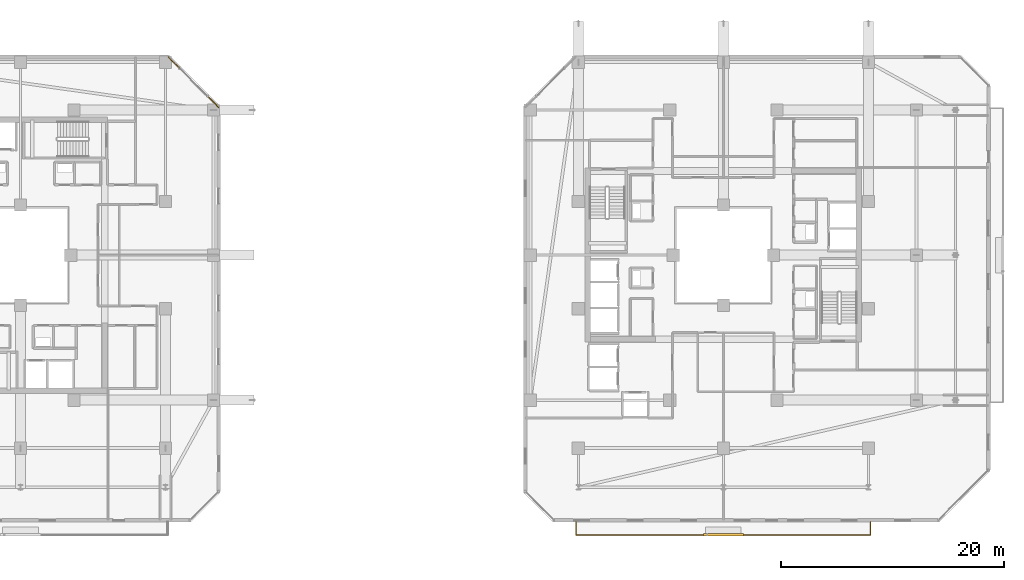
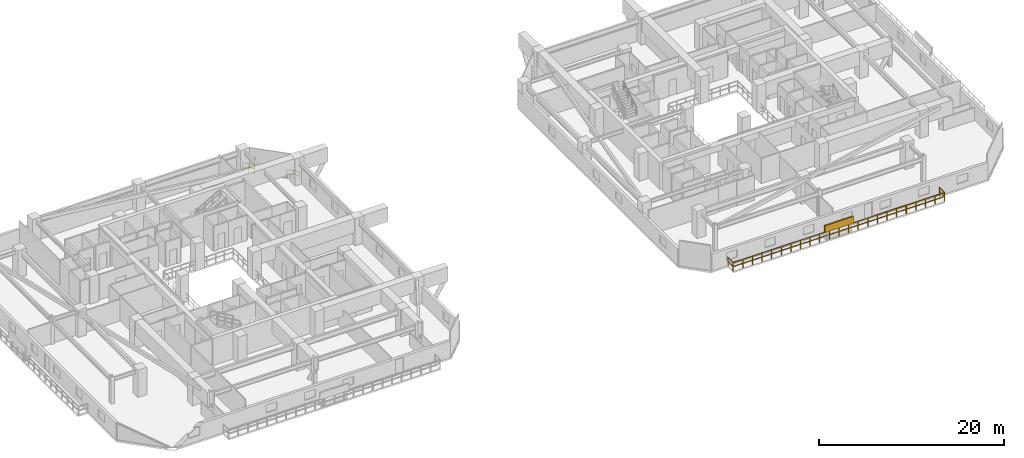
# One storey, part 33 of 35: 3 railings, 1 shading device.
"""IFC4 building model written with IfcOpenShell, lengths in metres."""

import ifcopenshell
import ifcopenshell.guid

model = None  # the IFC model being written
_history = None  # IfcOwnerHistory: only IFC2X3 demands one
_inside = {}  # id of a spatial element -> (the spatial element, [elements in it])
_under = {}  # id of a project, library or spatial element -> (it, [spatial elements below it])
_declared = {}  # id of a project -> (the project, [libraries it declares])
_typed = {}  # id of a type object -> (the type object, [elements of that type])
_made_of = {}  # id of a material, layer set ... -> (it, [elements and type objects made of it])


def new_model(schema):
    """Start an empty IFC model of exactly this schema.

    Asked for "IFC4X3", IfcOpenShell would pick the latest addendum, in which some entities
    have other attributes; the version numbers below select the first issue.
    IFC2X3 requires an IfcOwnerHistory on every rooted entity: one is made here for all.
    """
    global model, _history
    if schema == "IFC4X3":
        model = ifcopenshell.file(schema_version=(4, 3, 0, 0))
    else:
        model = ifcopenshell.file(schema=schema)
    _inside.clear()
    _under.clear()
    _declared.clear()
    _typed.clear()
    _made_of.clear()
    _history = None
    if model.schema == "IFC2X3":
        org = make("IfcOrganization", Name="unknown")
        user = make(
            "IfcPersonAndOrganization",
            ThePerson=make("IfcPerson", FamilyName="unknown"),
            TheOrganization=org,
        )
        app = make(
            "IfcApplication",
            ApplicationDeveloper=org,
            Version="unknown",
            ApplicationFullName="unknown",
            ApplicationIdentifier="unknown",
        )
        _history = make(
            "IfcOwnerHistory",
            OwningUser=user,
            OwningApplication=app,
            ChangeAction="ADDED",
            CreationDate=0,
        )
    return model


def make(cls, **values):
    """One entity of the class cls with the attributes given. An attribute that is None is left unset."""
    return model.create_entity(
        cls, **{name: value for name, value in values.items() if value is not None}
    )


def rooted(cls, **values):
    """An entity with a GlobalId (a new one), such as an element, a storey or a relation."""
    return make(cls, GlobalId=ifcopenshell.guid.new(), OwnerHistory=_history, **values)


def si_unit(unit_type, name, prefix=None):
    """IfcSIUnit, for example si_unit("LENGTHUNIT", "METRE", prefix="MILLI")."""
    return make("IfcSIUnit", UnitType=unit_type, Prefix=prefix, Name=name)


def assignment(units):
    """IfcUnitAssignment: the units of a project."""
    return None if units is None else make("IfcUnitAssignment", Units=units)


def point(xyz):
    """IfcCartesianPoint."""
    return None if xyz is None else make("IfcCartesianPoint", Coordinates=xyz)


def direction(xyz):
    """IfcDirection."""
    return None if xyz is None else make("IfcDirection", DirectionRatios=xyz)


def frame(location, z_axis=None, x_axis=None):
    """IfcAxis2Placement3D, a coordinate frame: its origin and axes. An axis left out is left unset."""
    return make(
        "IfcAxis2Placement3D",
        Location=point(location),
        Axis=direction(z_axis),
        RefDirection=direction(x_axis),
    )


def frame_2d(location, x_axis=None):
    """IfcAxis2Placement2D, a coordinate frame in the plane: its origin and x axis."""
    return make(
        "IfcAxis2Placement2D", Location=point(location), RefDirection=direction(x_axis)
    )


def origin():
    """The frame at (0, 0, 0) with its axes left unset."""
    return frame((0.0, 0.0, 0.0))


def origin_2d():
    """The frame at (0, 0) in the plane with its x axis left unset."""
    return frame_2d((0.0, 0.0))


def place(relative_to, where):
    """IfcLocalPlacement: puts the frame where relative to a parent placement (None: the world)."""
    return make(
        "IfcLocalPlacement", PlacementRelTo=relative_to, RelativePlacement=where
    )


def context(
    kind, dimensions, precision=None, world=None, true_north=None, identifier=None
):
    """IfcGeometricRepresentationContext, for example the 3D "Model" context."""
    return make(
        "IfcGeometricRepresentationContext",
        ContextIdentifier=identifier,
        ContextType=kind,
        CoordinateSpaceDimension=dimensions,
        Precision=precision,
        WorldCoordinateSystem=world,
        TrueNorth=true_north,
    )


def subcontext(parent, identifier, kind, view, scale=None):
    """IfcGeometricRepresentationSubContext, for example "Body" below "Model"."""
    return make(
        "IfcGeometricRepresentationSubContext",
        ContextIdentifier=identifier,
        ContextType=kind,
        ParentContext=parent,
        TargetScale=scale,
        TargetView=view,
    )


def project(units=None, contexts=None):
    """IfcProject with its units and contexts."""
    return rooted(
        "IfcProject",
        Name="project",
        RepresentationContexts=contexts,
        UnitsInContext=assignment(units),
    )


def spatial(cls, under=None, at=None, **own):
    """A site, building, storey or space (cls), placed at a placement, below another one or the project."""
    s = rooted(cls, ObjectPlacement=at, **own)
    if under is not None:
        _under.setdefault(under.id(), (under, []))[1].append(s)
    return s


def profile(cls, at=None, kind="AREA", **sizes):
    """A parametric profile (cls). Its sizes go by their IFC names, for example OverallWidth=200.0."""
    return make(cls, ProfileType=kind, Position=at, **sizes)


def rectangle(**sizes):
    """IfcRectangleProfileDef."""
    return profile("IfcRectangleProfileDef", **sizes)


def extrude(swept, where, along, depth):
    """IfcExtrudedAreaSolid: the profile swept, set in the frame where, extruded along a direction by depth."""
    return make(
        "IfcExtrudedAreaSolid",
        SweptArea=swept,
        Position=where,
        ExtrudedDirection=direction(along),
        Depth=depth,
    )


def shape(context_of_items, identifier, shape_type, items):
    """IfcShapeRepresentation: the items that make up one representation, for example the "Body"."""
    return make(
        "IfcShapeRepresentation",
        ContextOfItems=context_of_items,
        RepresentationIdentifier=identifier,
        RepresentationType=shape_type,
        Items=items,
    )


def material(Name=None, Category=None):
    """IfcMaterial."""
    return make("IfcMaterial", Name=Name, Category=Category)


def made_of(thing, what):
    """Note that an element or type object is made of a material, layer set ...; save() writes the relation."""
    if what is not None:
        _made_of.setdefault(what.id(), (what, []))[1].append(thing)
    return thing


def type_object(cls, material=None, **own):
    """A type object (cls), such as IfcWallType, which elements share."""
    return made_of(rooted(cls, **own), material)


def element(
    cls,
    number,
    at=None,
    inside=None,
    cuts=None,
    type_object=None,
    material=None,
    context=None,
    identifier="Body",
    shape_type=None,
    held_by="IfcProductDefinitionShape",
    body=None,
    shapes=None,
    **own,
):
    """One element of the class cls, such as IfcWall. Its Tag is "e" and its number.

    at: its placement. inside: the storey or other place that contains it. cuts: it is an
    opening in that element (IfcRelVoidsElement). A single representation is given by context,
    identifier, shape_type and body (its items); several are given by shapes. held_by: the class
    of the entity that holds the representations. save() writes the other relations.
    """
    e = rooted(cls, Tag="e%d" % number, ObjectPlacement=at, **own)
    if body is not None:
        shapes = [shape(context, identifier, shape_type, body)]
    if shapes is not None:
        e.Representation = make(held_by, Representations=shapes)
    if inside is not None:
        _inside.setdefault(inside.id(), (inside, []))[1].append(e)
    if cuts is not None:
        rooted(
            "IfcRelVoidsElement", RelatingBuildingElement=cuts, RelatedOpeningElement=e
        )
    if type_object is not None:
        _typed.setdefault(type_object.id(), (type_object, []))[1].append(e)
    return made_of(e, material)


def aggregate(whole, parts):
    """IfcRelAggregates: a whole, such as a stair, and the parts it consists of."""
    return rooted("IfcRelAggregates", RelatingObject=whole, RelatedObjects=parts)


def save(model, path):
    """Write the relations noted so far, then the file.

    IfcRelAggregates (storeys below a building ...), IfcRelContainedInSpatialStructure (elements
    in a storey), IfcRelDefinesByType, IfcRelAssociatesMaterial and IfcRelDeclares: one each for
    every whole, place, type object, material and project.
    """
    for whole, parts in _under.values():
        aggregate(whole, parts)
    for where, things in _inside.values():
        rooted(
            "IfcRelContainedInSpatialStructure",
            RelatedElements=things,
            RelatingStructure=where,
        )
    for kind, things in _typed.values():
        rooted("IfcRelDefinesByType", RelatedObjects=things, RelatingType=kind)
    for what, things in _made_of.values():
        rooted("IfcRelAssociatesMaterial", RelatedObjects=things, RelatingMaterial=what)
    for by, libraries in _declared.values():
        rooted("IfcRelDeclares", RelatingContext=by, RelatedDefinitions=libraries)
    model.write(path)


model = new_model("IFC4")

# Units and contexts
model_context = context("Model", 3, precision=1e-05, world=origin(), true_north=direction((0.0, 1.0)))
body_context = subcontext(model_context, "Body", "Model", "MODEL_VIEW")
ifc_project = project(units=[si_unit("LENGTHUNIT", "METRE"), si_unit("AREAUNIT", "SQUARE_METRE"), si_unit("VOLUMEUNIT", "CUBIC_METRE"), si_unit("PLANEANGLEUNIT", "RADIAN"), si_unit("MASSUNIT", "GRAM", prefix="KILO")], contexts=[model_context])

# Site, building, storey
site_placement = place(None, origin())
site = spatial("IfcSite", under=ifc_project, at=site_placement, CompositionType="ELEMENT")
building_placement = place(site_placement, origin())
building = spatial("IfcBuilding", under=site, at=building_placement, Name="Thornwick Lancets Civic Towers", CompositionType="ELEMENT")
storey_placement = place(building_placement, frame((0.0, 0.0, 145.5)))
storey = spatial("IfcBuildingStorey", under=building, at=storey_placement, Name="L38", CompositionType="ELEMENT", Elevation=145.5)

# Railings
ifc_material_1 = material(Name="Terracotta-capped laminated glass balustrade S355", Category="masonry")
railing_type = type_object("IfcRailingType", Name="RAIL_TERR_GUARD", PredefinedType="GUARDRAIL", material=ifc_material_1)
for number, where, name in (
    (1, (43.25830078125, 40.2509765625, 0.0), "L38 Tower A Chamfer Spandrel Guard E3-1"),
    (2, (39.738525390625, 43.770751953125, 0.0), "L38 Tower A Chamfer Spandrel Guard E3-2"),
):
    element("IfcRailing", number, at=place(storey_placement, frame(where)), inside=storey, type_object=railing_type, Name=name, PredefinedType="GUARDRAIL", context=body_context, shape_type="SweptSolid", body=[
        extrude(rectangle(XDim=0.048095703125, YDim=0.048095703125, at=origin_2d()), frame((0.0, 0.0, 1.1259765625), z_axis=(-0.707106781187, 0.707106781187, 0.0), x_axis=(-0.707106781187, -0.707106781187, 0.0)), (0.0, 0.0, 1.0), 1.396484375),
        extrude(rectangle(XDim=0.0419921875, YDim=0.0419921875, at=origin_2d()), frame((-0.026611328125, 0.026611328125, 0.597900390625), z_axis=(-0.707106781187, 0.707106781187, 0.0), x_axis=(-0.707106781187, -0.707106781187, 0.0)), (0.0, 0.0, 1.0), 0.623291015625),
        extrude(rectangle(XDim=0.0419921875, YDim=0.0419921875, at=origin_2d()), frame((-0.520263671875, 0.520263671875, 0.597900390625), z_axis=(-0.707106781187, 0.707106781187, 0.0), x_axis=(-0.707106781187, -0.707106781187, 0.0)), (0.0, 0.0, 1.0), 0.623291015625),
        extrude(rectangle(XDim=0.0419921875, YDim=0.0419921875, at=origin_2d()), origin(), (0.0, 0.0, 1.0), 1.095703125),
        extrude(rectangle(XDim=0.0419921875, YDim=0.0419921875, at=origin_2d()), frame((-0.49365234375, 0.49365234375, 0.0)), (0.0, 0.0, 1.0), 1.095703125),
        extrude(rectangle(XDim=0.0419921875, YDim=0.0419921875, at=origin_2d()), frame((-0.987548828125, 0.987548828125, 0.0)), (0.0, 0.0, 1.0), 1.095703125),
    ])
railing_placement = place(storey_placement, frame((75.300048828125, 3.10009765625, 0.0)))
element("IfcRailing", 3, at=railing_placement, inside=storey, type_object=railing_type, Name="L38 Tower B Balcony Guard S", PredefinedType="GUARDRAIL", context=body_context, shape_type="SweptSolid", body=[
    extrude(rectangle(XDim=0.048095703125, YDim=0.048095703125, at=origin_2d()), frame((0.0, 0.0, 1.1259765625), z_axis=(0.0, -1.0, 0.0), x_axis=(1.0, 0.0, 0.0)), (0.0, 0.0, 1.0), 1.138916015625),
    extrude(rectangle(XDim=0.0419921875, YDim=0.0419921875, at=origin_2d()), frame((0.0, -0.03759765625, 0.597900390625), z_axis=(0.0, -1.0, 0.0), x_axis=(1.0, 0.0, 0.0)), (0.0, 0.0, 1.0), 1.09521484375),
    extrude(rectangle(XDim=0.048095703125, YDim=0.048095703125, at=origin_2d()), frame((0.03125, -1.170166015625, 1.1259765625), z_axis=(1.0, 0.0, 0.0), x_axis=(0.0, 1.0, 0.0)), (0.0, 0.0, 1.0), 26.33740234375),
    extrude(rectangle(XDim=0.0419921875, YDim=0.0419921875, at=origin_2d()), frame((0.03759765625, -1.170166015625, 0.597900390625), z_axis=(1.0, 0.0, 0.0), x_axis=(0.0, 1.0, 0.0)), (0.0, 0.0, 1.0), 1.125),
    extrude(rectangle(XDim=0.0419921875, YDim=0.0419921875, at=origin_2d()), frame((1.237548828125, -1.170166015625, 0.597900390625), z_axis=(1.0, 0.0, 0.0), x_axis=(0.0, 1.0, 0.0)), (0.0, 0.0, 1.0), 1.125),
    extrude(rectangle(XDim=0.0419921875, YDim=0.0419921875, at=origin_2d()), frame((2.4375, -1.170166015625, 0.597900390625), z_axis=(1.0, 0.0, 0.0), x_axis=(0.0, 1.0, 0.0)), (0.0, 0.0, 1.0), 1.125),
    extrude(rectangle(XDim=0.0419921875, YDim=0.0419921875, at=origin_2d()), frame((3.637451171875, -1.170166015625, 0.597900390625), z_axis=(1.0, 0.0, 0.0), x_axis=(0.0, 1.0, 0.0)), (0.0, 0.0, 1.0), 1.125),
    extrude(rectangle(XDim=0.0419921875, YDim=0.0419921875, at=origin_2d()), frame((4.83740234375, -1.170166015625, 0.597900390625), z_axis=(1.0, 0.0, 0.0), x_axis=(0.0, 1.0, 0.0)), (0.0, 0.0, 1.0), 1.125),
    extrude(rectangle(XDim=0.0419921875, YDim=0.0419921875, at=origin_2d()), frame((6.037353515625, -1.170166015625, 0.597900390625), z_axis=(1.0, 0.0, 0.0), x_axis=(0.0, 1.0, 0.0)), (0.0, 0.0, 1.0), 1.125),
    extrude(rectangle(XDim=0.0419921875, YDim=0.0419921875, at=origin_2d()), frame((7.237548828125, -1.170166015625, 0.597900390625), z_axis=(1.0, 0.0, 0.0), x_axis=(0.0, 1.0, 0.0)), (0.0, 0.0, 1.0), 1.125),
    extrude(rectangle(XDim=0.0419921875, YDim=0.0419921875, at=origin_2d()), frame((8.4375, -1.170166015625, 0.597900390625), z_axis=(1.0, 0.0, 0.0), x_axis=(0.0, 1.0, 0.0)), (0.0, 0.0, 1.0), 1.125),
    extrude(rectangle(XDim=0.0419921875, YDim=0.0419921875, at=origin_2d()), frame((9.637451171875, -1.170166015625, 0.597900390625), z_axis=(1.0, 0.0, 0.0), x_axis=(0.0, 1.0, 0.0)), (0.0, 0.0, 1.0), 1.125),
    extrude(rectangle(XDim=0.0419921875, YDim=0.0419921875, at=origin_2d()), frame((10.83740234375, -1.170166015625, 0.597900390625), z_axis=(1.0, 0.0, 0.0), x_axis=(0.0, 1.0, 0.0)), (0.0, 0.0, 1.0), 1.125),
    extrude(rectangle(XDim=0.0419921875, YDim=0.0419921875, at=origin_2d()), frame((12.037353515625, -1.170166015625, 0.597900390625), z_axis=(1.0, 0.0, 0.0), x_axis=(0.0, 1.0, 0.0)), (0.0, 0.0, 1.0), 1.125),
    extrude(rectangle(XDim=0.0419921875, YDim=0.0419921875, at=origin_2d()), frame((13.237548828125, -1.170166015625, 0.597900390625), z_axis=(1.0, 0.0, 0.0), x_axis=(0.0, 1.0, 0.0)), (0.0, 0.0, 1.0), 1.125),
    extrude(rectangle(XDim=0.0419921875, YDim=0.0419921875, at=origin_2d()), frame((14.4375, -1.170166015625, 0.597900390625), z_axis=(1.0, 0.0, 0.0), x_axis=(0.0, 1.0, 0.0)), (0.0, 0.0, 1.0), 1.125),
    extrude(rectangle(XDim=0.0419921875, YDim=0.0419921875, at=origin_2d()), frame((15.637451171875, -1.170166015625, 0.597900390625), z_axis=(1.0, 0.0, 0.0), x_axis=(0.0, 1.0, 0.0)), (0.0, 0.0, 1.0), 1.125),
    extrude(rectangle(XDim=0.0419921875, YDim=0.0419921875, at=origin_2d()), frame((16.83740234375, -1.170166015625, 0.597900390625), z_axis=(1.0, 0.0, 0.0), x_axis=(0.0, 1.0, 0.0)), (0.0, 0.0, 1.0), 1.125),
    extrude(rectangle(XDim=0.0419921875, YDim=0.0419921875, at=origin_2d()), frame((18.037353515625, -1.170166015625, 0.597900390625), z_axis=(1.0, 0.0, 0.0), x_axis=(0.0, 1.0, 0.0)), (0.0, 0.0, 1.0), 1.125),
    extrude(rectangle(XDim=0.0419921875, YDim=0.0419921875, at=origin_2d()), frame((19.2373046875, -1.170166015625, 0.597900390625), z_axis=(1.0, 0.0, 0.0), x_axis=(0.0, 1.0, 0.0)), (0.0, 0.0, 1.0), 1.125),
    extrude(rectangle(XDim=0.0419921875, YDim=0.0419921875, at=origin_2d()), frame((20.4375, -1.170166015625, 0.597900390625), z_axis=(1.0, 0.0, 0.0), x_axis=(0.0, 1.0, 0.0)), (0.0, 0.0, 1.0), 1.125),
    extrude(rectangle(XDim=0.0419921875, YDim=0.0419921875, at=origin_2d()), frame((21.637451171875, -1.170166015625, 0.597900390625), z_axis=(1.0, 0.0, 0.0), x_axis=(0.0, 1.0, 0.0)), (0.0, 0.0, 1.0), 1.125),
    extrude(rectangle(XDim=0.0419921875, YDim=0.0419921875, at=origin_2d()), frame((22.83740234375, -1.170166015625, 0.597900390625), z_axis=(1.0, 0.0, 0.0), x_axis=(0.0, 1.0, 0.0)), (0.0, 0.0, 1.0), 1.125),
    extrude(rectangle(XDim=0.0419921875, YDim=0.0419921875, at=origin_2d()), frame((24.037353515625, -1.170166015625, 0.597900390625), z_axis=(1.0, 0.0, 0.0), x_axis=(0.0, 1.0, 0.0)), (0.0, 0.0, 1.0), 1.125),
    extrude(rectangle(XDim=0.0419921875, YDim=0.0419921875, at=origin_2d()), frame((25.2373046875, -1.170166015625, 0.597900390625), z_axis=(1.0, 0.0, 0.0), x_axis=(0.0, 1.0, 0.0)), (0.0, 0.0, 1.0), 1.125),
    extrude(rectangle(XDim=0.048095703125, YDim=0.048095703125, at=origin_2d()), frame((26.39990234375, -1.138916015625, 1.1259765625), z_axis=(0.0, 1.0, 0.0), x_axis=(-1.0, 0.0, 0.0)), (0.0, 0.0, 1.0), 1.138916015625),
    extrude(rectangle(XDim=0.0419921875, YDim=0.0419921875, at=origin_2d()), frame((26.39990234375, -1.132568359375, 0.597900390625), z_axis=(0.0, 1.0, 0.0), x_axis=(-1.0, 0.0, 0.0)), (0.0, 0.0, 1.0), 1.09521484375),
    extrude(rectangle(XDim=0.0419921875, YDim=0.0419921875, at=origin_2d()), origin(), (0.0, 0.0, 1.0), 1.095703125),
    extrude(rectangle(XDim=0.0419921875, YDim=0.0419921875, at=origin_2d()), frame((0.0, -1.170166015625, 0.0)), (0.0, 0.0, 1.0), 1.095703125),
    extrude(rectangle(XDim=0.0419921875, YDim=0.0419921875, at=origin_2d()), frame((1.199951171875, -1.170166015625, 0.0)), (0.0, 0.0, 1.0), 1.095703125),
    extrude(rectangle(XDim=0.0419921875, YDim=0.0419921875, at=origin_2d()), frame((2.39990234375, -1.170166015625, 0.0)), (0.0, 0.0, 1.0), 1.095703125),
    extrude(rectangle(XDim=0.0419921875, YDim=0.0419921875, at=origin_2d()), frame((3.60009765625, -1.170166015625, 0.0)), (0.0, 0.0, 1.0), 1.095703125),
    extrude(rectangle(XDim=0.0419921875, YDim=0.0419921875, at=origin_2d()), frame((4.800048828125, -1.170166015625, 0.0)), (0.0, 0.0, 1.0), 1.095703125),
    extrude(rectangle(XDim=0.0419921875, YDim=0.0419921875, at=origin_2d()), frame((6.0, -1.170166015625, 0.0)), (0.0, 0.0, 1.0), 1.095703125),
    extrude(rectangle(XDim=0.0419921875, YDim=0.0419921875, at=origin_2d()), frame((7.199951171875, -1.170166015625, 0.0)), (0.0, 0.0, 1.0), 1.095703125),
    extrude(rectangle(XDim=0.0419921875, YDim=0.0419921875, at=origin_2d()), frame((8.39990234375, -1.170166015625, 0.0)), (0.0, 0.0, 1.0), 1.095703125),
    extrude(rectangle(XDim=0.0419921875, YDim=0.0419921875, at=origin_2d()), frame((9.599853515625, -1.170166015625, 0.0)), (0.0, 0.0, 1.0), 1.095703125),
    extrude(rectangle(XDim=0.0419921875, YDim=0.0419921875, at=origin_2d()), frame((10.800048828125, -1.170166015625, 0.0)), (0.0, 0.0, 1.0), 1.095703125),
    extrude(rectangle(XDim=0.0419921875, YDim=0.0419921875, at=origin_2d()), frame((12.0, -1.170166015625, 0.0)), (0.0, 0.0, 1.0), 1.095703125),
    extrude(rectangle(XDim=0.0419921875, YDim=0.0419921875, at=origin_2d()), frame((13.199951171875, -1.170166015625, 0.0)), (0.0, 0.0, 1.0), 1.095703125),
    extrude(rectangle(XDim=0.0419921875, YDim=0.0419921875, at=origin_2d()), frame((14.39990234375, -1.170166015625, 0.0)), (0.0, 0.0, 1.0), 1.095703125),
    extrude(rectangle(XDim=0.0419921875, YDim=0.0419921875, at=origin_2d()), frame((15.599853515625, -1.170166015625, 0.0)), (0.0, 0.0, 1.0), 1.095703125),
    extrude(rectangle(XDim=0.0419921875, YDim=0.0419921875, at=origin_2d()), frame((16.800048828125, -1.170166015625, 0.0)), (0.0, 0.0, 1.0), 1.095703125),
    extrude(rectangle(XDim=0.0419921875, YDim=0.0419921875, at=origin_2d()), frame((18.0, -1.170166015625, 0.0)), (0.0, 0.0, 1.0), 1.095703125),
    extrude(rectangle(XDim=0.0419921875, YDim=0.0419921875, at=origin_2d()), frame((19.199951171875, -1.170166015625, 0.0)), (0.0, 0.0, 1.0), 1.095703125),
    extrude(rectangle(XDim=0.0419921875, YDim=0.0419921875, at=origin_2d()), frame((20.39990234375, -1.170166015625, 0.0)), (0.0, 0.0, 1.0), 1.095703125),
    extrude(rectangle(XDim=0.0419921875, YDim=0.0419921875, at=origin_2d()), frame((21.599853515625, -1.170166015625, 0.0)), (0.0, 0.0, 1.0), 1.095703125),
    extrude(rectangle(XDim=0.0419921875, YDim=0.0419921875, at=origin_2d()), frame((22.7998046875, -1.170166015625, 0.0)), (0.0, 0.0, 1.0), 1.095703125),
    extrude(rectangle(XDim=0.0419921875, YDim=0.0419921875, at=origin_2d()), frame((24.0, -1.170166015625, 0.0)), (0.0, 0.0, 1.0), 1.095703125),
    extrude(rectangle(XDim=0.0419921875, YDim=0.0419921875, at=origin_2d()), frame((25.199951171875, -1.170166015625, 0.0)), (0.0, 0.0, 1.0), 1.095703125),
    extrude(rectangle(XDim=0.0419921875, YDim=0.0419921875, at=origin_2d()), frame((26.39990234375, -1.170166015625, 0.0)), (0.0, 0.0, 1.0), 1.095703125),
    extrude(rectangle(XDim=0.0419921875, YDim=0.0419921875, at=origin_2d()), frame((26.39990234375, 0.0, 0.0)), (0.0, 0.0, 1.0), 1.095703125),
])

# Shading device
ifc_material_2 = material(Name="Extruded terracotta baguette solar screen", Category="masonry")
shading_device_type = type_object("IfcShadingDeviceType", Name="SHADE_BAGUETTE", PredefinedType="JALOUSIE", material=ifc_material_2)
shading_device_placement = place(storey_placement, frame((88.5, 1.93994140625, 1.1201171875), z_axis=(0.0, 0.0, 1.0), x_axis=(1.0, 0.0, 0.0)))
element("IfcShadingDevice", 4, at=shading_device_placement, inside=storey, type_object=shading_device_type, Name="L38 Tower B Terracotta Baguette Screen S", PredefinedType="JALOUSIE", context=body_context, shape_type="SweptSolid", body=[
    extrude(rectangle(XDim=3.60009765625, YDim=0.179931640625, at=origin_2d()), origin(), (0.0, 0.0, 1.0), 0.89990234375),
])

save(model, "model.ifc")
